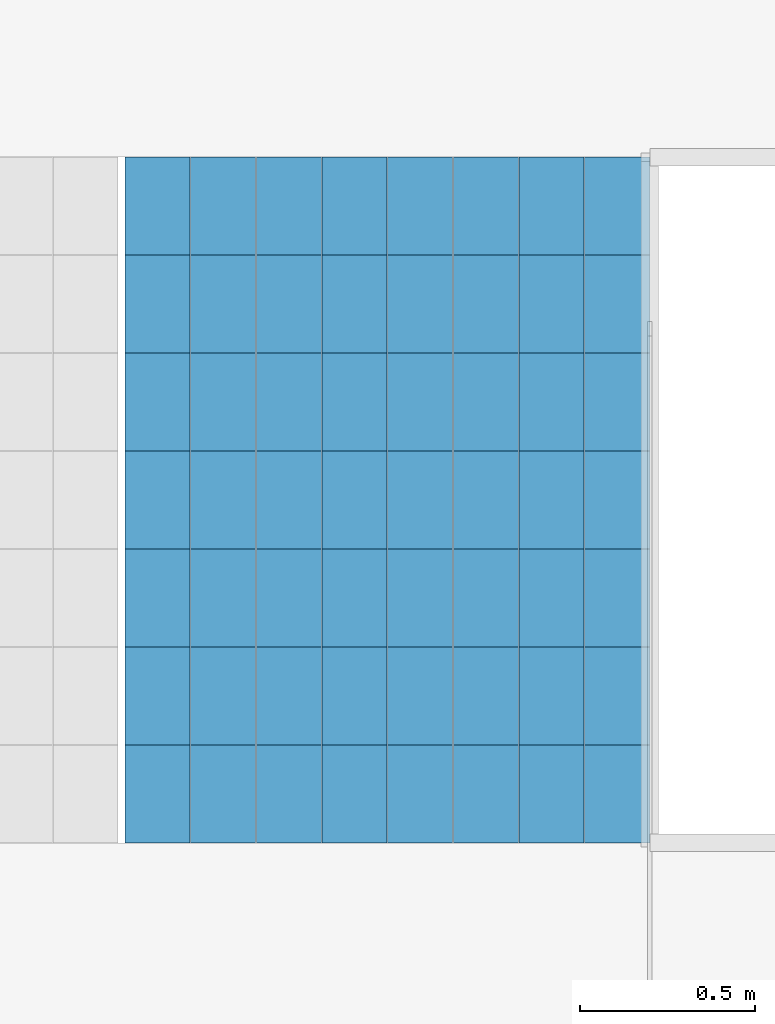
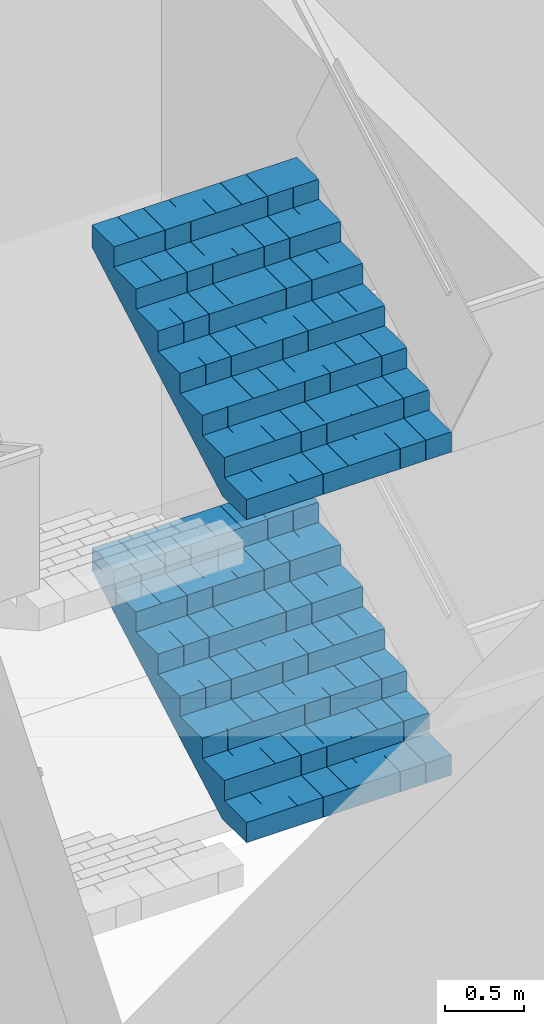
# One storey, part 27 of 29: 2 stair flights, 1 element without a shape of its own.
"""IFC4 building model written with IfcOpenShell, lengths in metres."""

from ifc_helpers import new_model, si_unit, direction, frame, origin, place, context, subcontext, project, spatial, polyline, outline, extrude, material, type_object, element, aggregate, save


model = new_model("IFC4")

# Units and contexts
model_context = context("Model", 3, precision=1e-05, world=origin(), true_north=direction((0.0, 1.0)))
body_context = subcontext(model_context, "Body", "Model", "MODEL_VIEW")
ifc_project = project(units=[si_unit("LENGTHUNIT", "METRE"), si_unit("AREAUNIT", "SQUARE_METRE"), si_unit("VOLUMEUNIT", "CUBIC_METRE"), si_unit("PLANEANGLEUNIT", "RADIAN"), si_unit("MASSUNIT", "GRAM", prefix="KILO")], contexts=[model_context])

# Site, building, storey
site_placement = place(None, origin())
site = spatial("IfcSite", under=ifc_project, at=site_placement, CompositionType="ELEMENT")
building_placement = place(site_placement, origin())
building = spatial("IfcBuilding", under=site, at=building_placement, Name="Kolab Exchange Tower", CompositionType="ELEMENT")
storey_placement = place(building_placement, frame((0.0, 0.0, 17.39990234375)))
storey = spatial("IfcBuildingStorey", under=building, at=storey_placement, Name="L03", CompositionType="ELEMENT", Elevation=17.39990234375)

# Stair, stair flights
ifc_material = material(Name="Concrete C50/60", Category="concrete")
stair_type = type_object("IfcStairType", Name="STAIR ST4 RISER 156.2", PredefinedType="DOUBLE_RETURN_STAIR", material=ifc_material)
stair_placement = place(storey_placement, origin())
stair = element("IfcStair", 1, at=stair_placement, inside=storey, type_object=stair_type, Name="Stair 4", PredefinedType="DOUBLE_RETURN_STAIR")
stair_flight_type = type_object("IfcStairFlightType", Name="STAIR FLIGHT 1500 RISER 156.2", PredefinedType="STRAIGHT", material=ifc_material)
stair_flight_1_placement = place(storey_placement, frame((19.9599609375, -1.31005859375, 1.25), z_axis=(0.0, 0.0, 1.0), x_axis=(0.0, 1.0, 0.0)))
stair_flight_1 = element("IfcStairFlight", 2, at=stair_flight_1_placement, type_object=stair_flight_type, Name="ST4 flight 2", NumberOfRisers=8, NumberOfTreads=7, PredefinedType="STRAIGHT", RiserHeight=0.15625, TreadLength=0.28, context=body_context, shape_type="SweptSolid", body=[
    extrude(outline(polyline([(0.0, 0.0), (0.0, 0.15625), (0.280029296875, 0.15625), (0.280029296875, 0.3125), (0.56005859375, 0.3125), (0.56005859375, 0.46875), (0.840087890625, 0.46875), (0.840087890625, 0.625), (1.1201171875, 0.625), (1.1201171875, 0.78125), (1.39990234375, 0.78125), (1.39990234375, 0.9375), (1.679931640625, 0.9375), (1.679931640625, 1.09375), (1.9599609375, 1.09375), (1.9599609375, 1.25), (1.9599609375, 0.922119140625), (0.3076171875, 0.0), (0.0, 0.0)])), frame((0.0, 0.75, 0.0), z_axis=(0.0, -1.0, 0.0), x_axis=(1.0, 0.0, 0.0)), (0.0, 0.0, 1.0), 0.185791015625),
    extrude(outline(polyline([(0.0, 0.0), (0.0, 0.15625), (0.280029296875, 0.15625), (0.280029296875, 0.3125), (0.56005859375, 0.3125), (0.56005859375, 0.46875), (0.840087890625, 0.46875), (0.840087890625, 0.625), (1.1201171875, 0.625), (1.1201171875, 0.78125), (1.39990234375, 0.78125), (1.39990234375, 0.9375), (1.679931640625, 0.9375), (1.679931640625, 1.09375), (1.9599609375, 1.09375), (1.9599609375, 1.25), (1.9599609375, 0.922119140625), (0.3076171875, 0.0), (0.0, 0.0)])), frame((0.0, 0.562255859375, 0.0), z_axis=(0.0, -1.0, 0.0), x_axis=(1.0, 0.0, 0.0)), (0.0, 0.0, 1.0), 0.185791015625),
    extrude(outline(polyline([(0.0, 0.0), (0.0, 0.15625), (0.280029296875, 0.15625), (0.280029296875, 0.3125), (0.56005859375, 0.3125), (0.56005859375, 0.46875), (0.840087890625, 0.46875), (0.840087890625, 0.625), (1.1201171875, 0.625), (1.1201171875, 0.78125), (1.39990234375, 0.78125), (1.39990234375, 0.9375), (1.679931640625, 0.9375), (1.679931640625, 1.09375), (1.9599609375, 1.09375), (1.9599609375, 1.25), (1.9599609375, 0.922119140625), (0.3076171875, 0.0), (0.0, 0.0)])), frame((0.0, 0.37451171875, 0.0), z_axis=(0.0, -1.0, 0.0), x_axis=(1.0, 0.0, 0.0)), (0.0, 0.0, 1.0), 0.185791015625),
    extrude(outline(polyline([(0.0, 0.0), (0.0, 0.15625), (0.280029296875, 0.15625), (0.280029296875, 0.3125), (0.56005859375, 0.3125), (0.56005859375, 0.46875), (0.840087890625, 0.46875), (0.840087890625, 0.625), (1.1201171875, 0.625), (1.1201171875, 0.78125), (1.39990234375, 0.78125), (1.39990234375, 0.9375), (1.679931640625, 0.9375), (1.679931640625, 1.09375), (1.9599609375, 1.09375), (1.9599609375, 1.25), (1.9599609375, 0.922119140625), (0.3076171875, 0.0), (0.0, 0.0)])), frame((0.0, 0.186767578125, 0.0), z_axis=(0.0, -1.0, 0.0), x_axis=(1.0, 0.0, 0.0)), (0.0, 0.0, 1.0), 0.185791015625),
    extrude(outline(polyline([(0.0, 0.0), (0.0, 0.15625), (0.280029296875, 0.15625), (0.280029296875, 0.3125), (0.56005859375, 0.3125), (0.56005859375, 0.46875), (0.840087890625, 0.46875), (0.840087890625, 0.625), (1.1201171875, 0.625), (1.1201171875, 0.78125), (1.39990234375, 0.78125), (1.39990234375, 0.9375), (1.679931640625, 0.9375), (1.679931640625, 1.09375), (1.9599609375, 1.09375), (1.9599609375, 1.25), (1.9599609375, 0.922119140625), (0.3076171875, 0.0), (0.0, 0.0)])), frame((0.0, -0.0009765625, 0.0), z_axis=(0.0, -1.0, 0.0), x_axis=(1.0, 0.0, 0.0)), (0.0, 0.0, 1.0), 0.185791015625),
    extrude(outline(polyline([(0.0, 0.0), (0.0, 0.15625), (0.280029296875, 0.15625), (0.280029296875, 0.3125), (0.56005859375, 0.3125), (0.56005859375, 0.46875), (0.840087890625, 0.46875), (0.840087890625, 0.625), (1.1201171875, 0.625), (1.1201171875, 0.78125), (1.39990234375, 0.78125), (1.39990234375, 0.9375), (1.679931640625, 0.9375), (1.679931640625, 1.09375), (1.9599609375, 1.09375), (1.9599609375, 1.25), (1.9599609375, 0.922119140625), (0.3076171875, 0.0), (0.0, 0.0)])), frame((0.0, -0.188720703125, 0.0), z_axis=(0.0, -1.0, 0.0), x_axis=(1.0, 0.0, 0.0)), (0.0, 0.0, 1.0), 0.185791015625),
    extrude(outline(polyline([(0.0, 0.0), (0.0, 0.15625), (0.280029296875, 0.15625), (0.280029296875, 0.3125), (0.56005859375, 0.3125), (0.56005859375, 0.46875), (0.840087890625, 0.46875), (0.840087890625, 0.625), (1.1201171875, 0.625), (1.1201171875, 0.78125), (1.39990234375, 0.78125), (1.39990234375, 0.9375), (1.679931640625, 0.9375), (1.679931640625, 1.09375), (1.9599609375, 1.09375), (1.9599609375, 1.25), (1.9599609375, 0.922119140625), (0.3076171875, 0.0), (0.0, 0.0)])), frame((0.0, -0.37646484375, 0.0), z_axis=(0.0, -1.0, 0.0), x_axis=(1.0, 0.0, 0.0)), (0.0, 0.0, 1.0), 0.185791015625),
    extrude(outline(polyline([(0.0, 0.0), (0.0, 0.15625), (0.280029296875, 0.15625), (0.280029296875, 0.3125), (0.56005859375, 0.3125), (0.56005859375, 0.46875), (0.840087890625, 0.46875), (0.840087890625, 0.625), (1.1201171875, 0.625), (1.1201171875, 0.78125), (1.39990234375, 0.78125), (1.39990234375, 0.9375), (1.679931640625, 0.9375), (1.679931640625, 1.09375), (1.9599609375, 1.09375), (1.9599609375, 1.25), (1.9599609375, 0.922119140625), (0.3076171875, 0.0), (0.0, 0.0)])), frame((0.0, -0.564208984375, 0.0), z_axis=(0.0, -1.0, 0.0), x_axis=(1.0, 0.0, 0.0)), (0.0, 0.0, 1.0), 0.185791015625),
])
stair_flight_2_placement = place(storey_placement, frame((19.9599609375, -1.31005859375, 3.75), z_axis=(0.0, 0.0, 1.0), x_axis=(0.0, 1.0, 0.0)))
stair_flight_2 = element("IfcStairFlight", 3, at=stair_flight_2_placement, type_object=stair_flight_type, Name="ST4 flight 4", NumberOfRisers=8, NumberOfTreads=7, PredefinedType="STRAIGHT", RiserHeight=0.15625, TreadLength=0.28, context=body_context, shape_type="SweptSolid", body=[
    extrude(outline(polyline([(0.0, 0.0), (0.0, 0.15625), (0.280029296875, 0.15625), (0.280029296875, 0.3125), (0.56005859375, 0.3125), (0.56005859375, 0.46875), (0.840087890625, 0.46875), (0.840087890625, 0.625), (1.1201171875, 0.625), (1.1201171875, 0.78125), (1.39990234375, 0.78125), (1.39990234375, 0.9375), (1.679931640625, 0.9375), (1.679931640625, 1.09375), (1.9599609375, 1.09375), (1.9599609375, 1.25), (1.9599609375, 0.922119140625), (0.3076171875, 0.0), (0.0, 0.0)])), frame((0.0, 0.75, 0.0), z_axis=(0.0, -1.0, 0.0), x_axis=(1.0, 0.0, 0.0)), (0.0, 0.0, 1.0), 0.185791015625),
    extrude(outline(polyline([(0.0, 0.0), (0.0, 0.15625), (0.280029296875, 0.15625), (0.280029296875, 0.3125), (0.56005859375, 0.3125), (0.56005859375, 0.46875), (0.840087890625, 0.46875), (0.840087890625, 0.625), (1.1201171875, 0.625), (1.1201171875, 0.78125), (1.39990234375, 0.78125), (1.39990234375, 0.9375), (1.679931640625, 0.9375), (1.679931640625, 1.09375), (1.9599609375, 1.09375), (1.9599609375, 1.25), (1.9599609375, 0.922119140625), (0.3076171875, 0.0), (0.0, 0.0)])), frame((0.0, 0.562255859375, 0.0), z_axis=(0.0, -1.0, 0.0), x_axis=(1.0, 0.0, 0.0)), (0.0, 0.0, 1.0), 0.185791015625),
    extrude(outline(polyline([(0.0, 0.0), (0.0, 0.15625), (0.280029296875, 0.15625), (0.280029296875, 0.3125), (0.56005859375, 0.3125), (0.56005859375, 0.46875), (0.840087890625, 0.46875), (0.840087890625, 0.625), (1.1201171875, 0.625), (1.1201171875, 0.78125), (1.39990234375, 0.78125), (1.39990234375, 0.9375), (1.679931640625, 0.9375), (1.679931640625, 1.09375), (1.9599609375, 1.09375), (1.9599609375, 1.25), (1.9599609375, 0.922119140625), (0.3076171875, 0.0), (0.0, 0.0)])), frame((0.0, 0.37451171875, 0.0), z_axis=(0.0, -1.0, 0.0), x_axis=(1.0, 0.0, 0.0)), (0.0, 0.0, 1.0), 0.185791015625),
    extrude(outline(polyline([(0.0, 0.0), (0.0, 0.15625), (0.280029296875, 0.15625), (0.280029296875, 0.3125), (0.56005859375, 0.3125), (0.56005859375, 0.46875), (0.840087890625, 0.46875), (0.840087890625, 0.625), (1.1201171875, 0.625), (1.1201171875, 0.78125), (1.39990234375, 0.78125), (1.39990234375, 0.9375), (1.679931640625, 0.9375), (1.679931640625, 1.09375), (1.9599609375, 1.09375), (1.9599609375, 1.25), (1.9599609375, 0.922119140625), (0.3076171875, 0.0), (0.0, 0.0)])), frame((0.0, 0.186767578125, 0.0), z_axis=(0.0, -1.0, 0.0), x_axis=(1.0, 0.0, 0.0)), (0.0, 0.0, 1.0), 0.185791015625),
    extrude(outline(polyline([(0.0, 0.0), (0.0, 0.15625), (0.280029296875, 0.15625), (0.280029296875, 0.3125), (0.56005859375, 0.3125), (0.56005859375, 0.46875), (0.840087890625, 0.46875), (0.840087890625, 0.625), (1.1201171875, 0.625), (1.1201171875, 0.78125), (1.39990234375, 0.78125), (1.39990234375, 0.9375), (1.679931640625, 0.9375), (1.679931640625, 1.09375), (1.9599609375, 1.09375), (1.9599609375, 1.25), (1.9599609375, 0.922119140625), (0.3076171875, 0.0), (0.0, 0.0)])), frame((0.0, -0.0009765625, 0.0), z_axis=(0.0, -1.0, 0.0), x_axis=(1.0, 0.0, 0.0)), (0.0, 0.0, 1.0), 0.185791015625),
    extrude(outline(polyline([(0.0, 0.0), (0.0, 0.15625), (0.280029296875, 0.15625), (0.280029296875, 0.3125), (0.56005859375, 0.3125), (0.56005859375, 0.46875), (0.840087890625, 0.46875), (0.840087890625, 0.625), (1.1201171875, 0.625), (1.1201171875, 0.78125), (1.39990234375, 0.78125), (1.39990234375, 0.9375), (1.679931640625, 0.9375), (1.679931640625, 1.09375), (1.9599609375, 1.09375), (1.9599609375, 1.25), (1.9599609375, 0.922119140625), (0.3076171875, 0.0), (0.0, 0.0)])), frame((0.0, -0.188720703125, 0.0), z_axis=(0.0, -1.0, 0.0), x_axis=(1.0, 0.0, 0.0)), (0.0, 0.0, 1.0), 0.185791015625),
    extrude(outline(polyline([(0.0, 0.0), (0.0, 0.15625), (0.280029296875, 0.15625), (0.280029296875, 0.3125), (0.56005859375, 0.3125), (0.56005859375, 0.46875), (0.840087890625, 0.46875), (0.840087890625, 0.625), (1.1201171875, 0.625), (1.1201171875, 0.78125), (1.39990234375, 0.78125), (1.39990234375, 0.9375), (1.679931640625, 0.9375), (1.679931640625, 1.09375), (1.9599609375, 1.09375), (1.9599609375, 1.25), (1.9599609375, 0.922119140625), (0.3076171875, 0.0), (0.0, 0.0)])), frame((0.0, -0.37646484375, 0.0), z_axis=(0.0, -1.0, 0.0), x_axis=(1.0, 0.0, 0.0)), (0.0, 0.0, 1.0), 0.185791015625),
    extrude(outline(polyline([(0.0, 0.0), (0.0, 0.15625), (0.280029296875, 0.15625), (0.280029296875, 0.3125), (0.56005859375, 0.3125), (0.56005859375, 0.46875), (0.840087890625, 0.46875), (0.840087890625, 0.625), (1.1201171875, 0.625), (1.1201171875, 0.78125), (1.39990234375, 0.78125), (1.39990234375, 0.9375), (1.679931640625, 0.9375), (1.679931640625, 1.09375), (1.9599609375, 1.09375), (1.9599609375, 1.25), (1.9599609375, 0.922119140625), (0.3076171875, 0.0), (0.0, 0.0)])), frame((0.0, -0.564208984375, 0.0), z_axis=(0.0, -1.0, 0.0), x_axis=(1.0, 0.0, 0.0)), (0.0, 0.0, 1.0), 0.185791015625),
])
aggregate(stair, [stair_flight_1, stair_flight_2])

save(model, "model.ifc")
